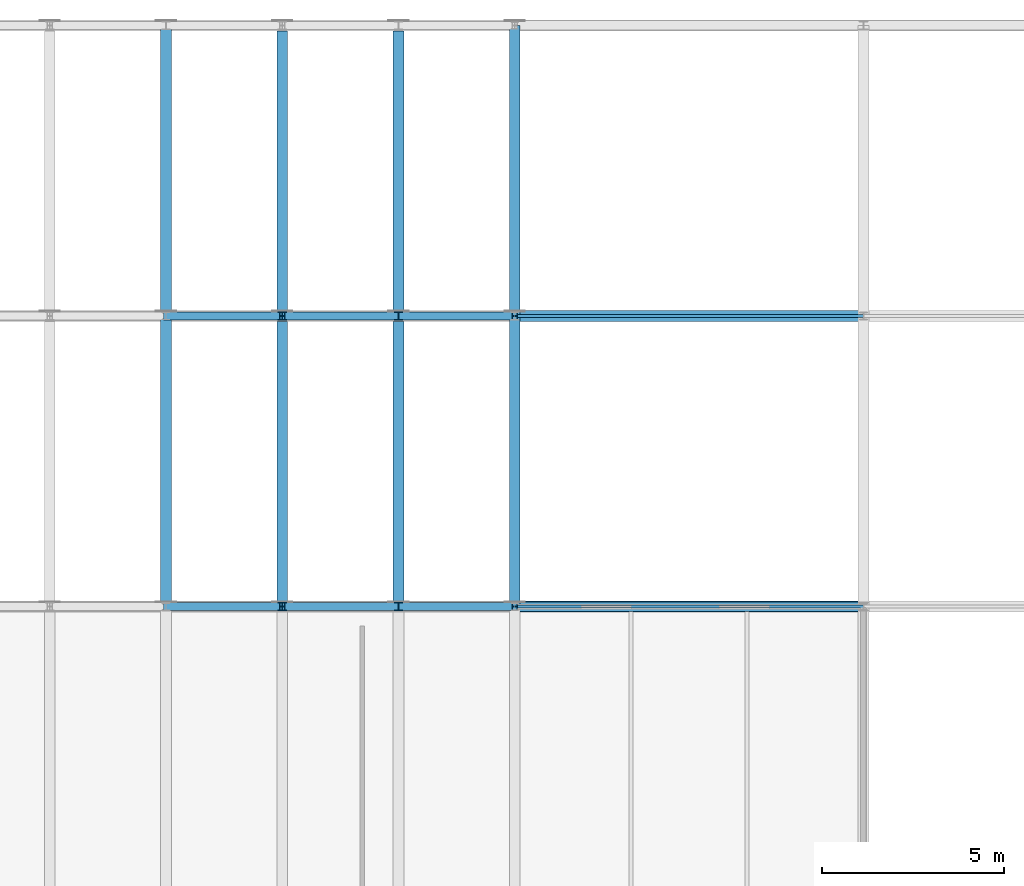
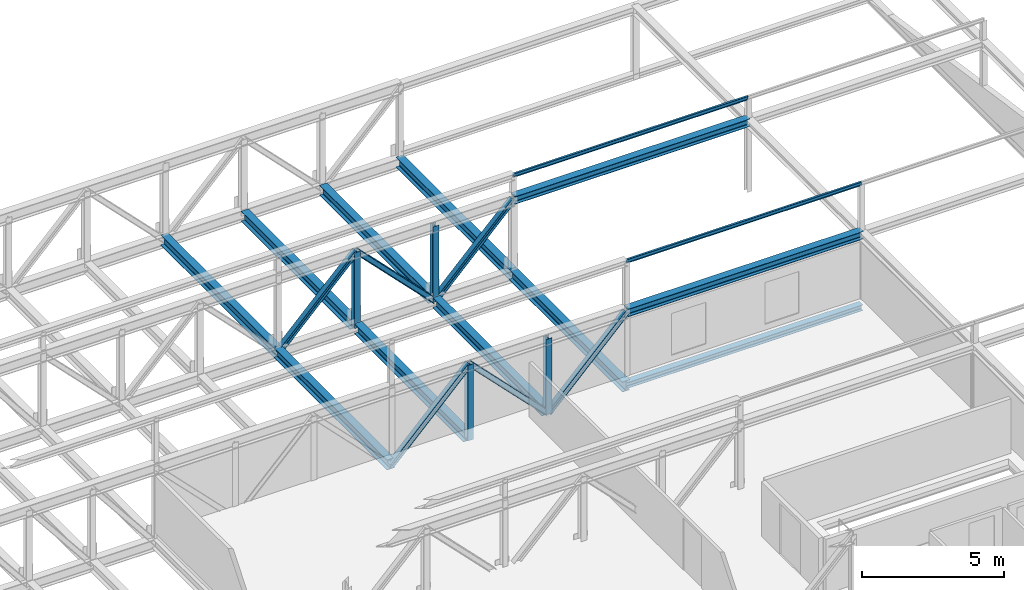
# One storey, part 20 of 34: 12 members, 11 beams.
"""IFC4 building model written with IfcOpenShell, lengths in metres."""

from ifc_helpers import new_model, si_unit, direction, frame, origin, origin_2d, place, context, subcontext, project, spatial, i_section, extrude, material, material_profile, profile_set, type_object, element, save


model = new_model("IFC4")

# Units and contexts
model_context = context("Model", 3, precision=1e-05, world=origin(), true_north=direction((0.0, 1.0)))
body_context = subcontext(model_context, "Body", "Model", "MODEL_VIEW")
ifc_project = project(units=[si_unit("LENGTHUNIT", "METRE"), si_unit("AREAUNIT", "SQUARE_METRE"), si_unit("VOLUMEUNIT", "CUBIC_METRE"), si_unit("PLANEANGLEUNIT", "RADIAN"), si_unit("MASSUNIT", "GRAM", prefix="KILO")], contexts=[model_context])

# Site, building, storey
site_placement = place(None, origin())
site = spatial("IfcSite", under=ifc_project, at=site_placement, CompositionType="ELEMENT")
building_placement = place(site_placement, origin())
building = spatial("IfcBuilding", under=site, at=building_placement, Name="Alderhovde Museum", CompositionType="ELEMENT")
storey_placement = place(building_placement, frame((0.0, 0.0, 25.800048828125)))
storey = spatial("IfcBuildingStorey", under=building, at=storey_placement, Name="L05", CompositionType="ELEMENT", Elevation=25.800048828125)

# Beams
ifc_material_1 = material(Name="Steel S355J2", Category="steel")
ifc_material_profile_1 = material_profile(ifc_material_1, i_section(OverallWidth=0.300048828125, OverallDepth=0.330078125, WebThickness=0.009521484375, FlangeThickness=0.0166015625, FilletRadius=0.027099609375, at=origin_2d()), Name="HEA 340")
ifc_profile_set_1 = profile_set([ifc_material_profile_1], Name="Steel S355J2")
beam_type_1 = type_object("IfcBeamType", Name="BM-HEA340", PredefinedType="BEAM", material=ifc_profile_set_1)
for number, where, z_axis, x_axis, name in (
    (1, (28.800048828125, 96.0, 2.75), (1.0, 0.0, 0.0), (0.0, 1.0, 0.0), "L05 Vol 4 Roof Beam Y=96"),
    (2, (28.800048828125, 104.0, 2.75), (1.0, 0.0, 0.0), (0.0, 1.0, 0.0), "L05 Vol 4 Roof Beam Y=104"),
):
    element("IfcBeam", number, at=place(storey_placement, frame(where, z_axis=z_axis, x_axis=x_axis)), inside=storey, type_object=beam_type_1, Name=name, PredefinedType="BEAM", context=body_context, shape_type="SweptSolid", body=[
        extrude(i_section(OverallWidth=0.300048828125, OverallDepth=0.330078125, WebThickness=0.009521484375, FlangeThickness=0.0166015625, FilletRadius=0.027099609375, at=origin_2d()), origin(), (0.0, 0.0, 1.0), 9.599853515625),
    ])
ifc_material_2 = material(Name="Steel S355J2", Category="steel")
ifc_material_profile_2 = material_profile(ifc_material_2, i_section(OverallWidth=0.300048828125, OverallDepth=0.43994140625, WebThickness=0.011474609375, FlangeThickness=0.02099609375, FilletRadius=0.027099609375, at=origin_2d()), Name="HEA 450")
ifc_profile_set_2 = profile_set([ifc_material_profile_2], Name="Steel S355J2")
beam_type_2 = type_object("IfcBeamType", Name="BM-HEA450", PredefinedType="BEAM", material=ifc_profile_set_2)
for number, where, z_axis, x_axis, name in (
    (3, (19.199951171875, 96.0, -0.47998046875), (0.0, 1.0, 0.0), (-1.0, 0.0, 0.0), "L05 Transfer Transverse Beam X=19.2"),
    (4, (19.199951171875, 104.0, -0.47998046875), (0.0, 1.0, 0.0), (-1.0, 0.0, 0.0), "L05 Transfer Transverse Beam X=19.2"),
):
    element("IfcBeam", number, at=place(storey_placement, frame(where, z_axis=z_axis, x_axis=x_axis)), inside=storey, type_object=beam_type_2, Name=name, PredefinedType="BEAM", context=body_context, shape_type="SweptSolid", body=[
        extrude(i_section(OverallWidth=0.300048828125, OverallDepth=0.43994140625, WebThickness=0.011474609375, FlangeThickness=0.02099609375, FilletRadius=0.027099609375, at=origin_2d()), origin(), (0.0, 0.0, 1.0), 8.0),
    ])
for number, where, z_axis, x_axis, name in (
    (5, (22.39990234375, 96.14990234375, -0.47998046875), (0.0, 1.0, 0.0), (-1.0, 0.0, 0.0), "L05 Transfer Transverse Beam X=22.4"),
    (6, (22.39990234375, 104.14990234375, -0.47998046875), (0.0, 1.0, 0.0), (-1.0, 0.0, 0.0), "L05 Transfer Transverse Beam X=22.4"),
    (7, (25.60009765625, 96.14990234375, -0.47998046875), (0.0, 1.0, 0.0), (-1.0, 0.0, 0.0), "L05 Transfer Transverse Beam X=25.6"),
    (8, (25.60009765625, 104.14990234375, -0.47998046875), (0.0, 1.0, 0.0), (-1.0, 0.0, 0.0), "L05 Transfer Transverse Beam X=25.6"),
):
    element("IfcBeam", number, at=place(storey_placement, frame(where, z_axis=z_axis, x_axis=x_axis)), inside=storey, type_object=beam_type_2, Name=name, PredefinedType="BEAM", context=body_context, shape_type="SweptSolid", body=[
        extrude(i_section(OverallWidth=0.300048828125, OverallDepth=0.43994140625, WebThickness=0.011474609375, FlangeThickness=0.02099609375, FilletRadius=0.027099609375, at=origin_2d()), origin(), (0.0, 0.0, 1.0), 7.7001953125),
    ])
for number, where, z_axis, x_axis, name in (
    (9, (28.800048828125, 96.0, -0.47998046875), (0.0, 1.0, 0.0), (-1.0, 0.0, 0.0), "L05 Transfer Transverse Beam X=28.8"),
    (10, (28.800048828125, 104.0, -0.47998046875), (0.0, 1.0, 0.0), (-1.0, 0.0, 0.0), "L05 Transfer Transverse Beam X=28.8"),
):
    element("IfcBeam", number, at=place(storey_placement, frame(where, z_axis=z_axis, x_axis=x_axis)), inside=storey, type_object=beam_type_2, Name=name, PredefinedType="BEAM", context=body_context, shape_type="SweptSolid", body=[
        extrude(i_section(OverallWidth=0.300048828125, OverallDepth=0.43994140625, WebThickness=0.011474609375, FlangeThickness=0.02099609375, FilletRadius=0.027099609375, at=origin_2d()), origin(), (0.0, 0.0, 1.0), 8.0),
    ])

# Members
ifc_material_3 = material(Name="Steel S355J2", Category="steel")
ifc_material_profile_3 = material_profile(ifc_material_3, i_section(OverallWidth=0.08203125, OverallDepth=0.159912109375, WebThickness=0.0048828125, FlangeThickness=0.00732421875, FilletRadius=0.009033203125, at=origin_2d()), Name="IPE 160")
ifc_profile_set_3 = profile_set([ifc_material_profile_3], Name="Steel S355J2")
member_type_1 = type_object("IfcMemberType", Name="PRL-IPE160", PredefinedType="PURLIN", material=ifc_profile_set_3)
for number, where, z_axis, x_axis, name in (
    (11, (28.800048828125, 96.0, 4.89990234375), (1.0, 0.0, 0.0), (0.0, 1.0, 0.0), "Cantilever Wing Roof Purlin Y=96"),
    (12, (28.800048828125, 104.0, 3.75), (1.0, 0.0, 0.0), (0.0, 1.0, 0.0), "Cantilever Wing Roof Purlin Y=104"),
):
    element("IfcMember", number, at=place(storey_placement, frame(where, z_axis=z_axis, x_axis=x_axis)), inside=storey, type_object=member_type_1, Name=name, PredefinedType="PURLIN", context=body_context, shape_type="SweptSolid", body=[
        extrude(i_section(OverallWidth=0.08203125, OverallDepth=0.159912109375, WebThickness=0.0048828125, FlangeThickness=0.00732421875, FilletRadius=0.009033203125, at=origin_2d()), origin(), (0.0, 0.0, 1.0), 9.599853515625),
    ])

# Beam
ifc_material_4 = material(Name="Steel S355J2", Category="steel")
ifc_material_profile_4 = material_profile(ifc_material_4, i_section(OverallWidth=0.260009765625, OverallDepth=0.25, WebThickness=0.007568359375, FlangeThickness=0.012451171875, FilletRadius=0.02392578125, at=origin_2d()), Name="HEA 260")
ifc_profile_set_4 = profile_set([ifc_material_profile_4], Name="Steel S355J2")
beam_type_3 = type_object("IfcBeamType", Name="SPD-HEA260", PredefinedType="SPANDREL", material=ifc_profile_set_4)
beam_placement = place(storey_placement, frame((28.800048828125, 96.0, -0.385009765625), z_axis=(1.0, 0.0, 0.0), x_axis=(0.0, 1.0, 0.0)))
element("IfcBeam", 13, at=beam_placement, inside=storey, type_object=beam_type_3, Name="L05 Grid Beam Y=96.0 (28.8 TO 38.4)", PredefinedType="SPANDREL", context=body_context, shape_type="SweptSolid", body=[
    extrude(i_section(OverallWidth=0.260009765625, OverallDepth=0.25, WebThickness=0.007568359375, FlangeThickness=0.012451171875, FilletRadius=0.02392578125, at=origin_2d()), origin(), (0.0, 0.0, 1.0), 9.599853515625),
])

# Members
ifc_material_5 = material(Name="Steel S355J2", Category="steel")
ifc_material_profile_5 = material_profile(ifc_material_5, i_section(OverallWidth=0.219970703125, OverallDepth=0.2099609375, WebThickness=0.007080078125, FlangeThickness=0.010986328125, FilletRadius=0.01806640625, at=origin_2d()), Name="HEA 220")
ifc_profile_set_5 = profile_set([ifc_material_profile_5], Name="Steel S355J2")
member_type_2 = type_object("IfcMemberType", Name="TR-DG-HEA220", PredefinedType="RAFTER", material=ifc_profile_set_5)
member_1_placement = place(storey_placement, frame((19.199951171875, 96.0, -0.510009765625), z_axis=(0.700502499188, 0.0, 0.713649948246), x_axis=(0.0, 1.0, 0.0)))
element("IfcMember", 14, at=member_1_placement, inside=storey, type_object=member_type_2, Name="Transfer Truss Y=96 T3 Diagonal 7", PredefinedType="RAFTER", context=body_context, shape_type="SweptSolid", body=[
    extrude(i_section(OverallWidth=0.219970703125, OverallDepth=0.2099609375, WebThickness=0.007080078125, FlangeThickness=0.010986328125, FilletRadius=0.01806640625, at=origin_2d()), origin(), (0.0, 0.0, 1.0), 4.568115234375),
])
member_2_placement = place(storey_placement, frame((22.39990234375, 96.0, 2.75), z_axis=(0.700529716954, 0.0, -0.713623230889), x_axis=(0.0, 1.0, 0.0)))
element("IfcMember", 15, at=member_2_placement, inside=storey, type_object=member_type_2, Name="Transfer Truss Y=96 T3 Diagonal 8", PredefinedType="RAFTER", context=body_context, shape_type="SweptSolid", body=[
    extrude(i_section(OverallWidth=0.219970703125, OverallDepth=0.2099609375, WebThickness=0.007080078125, FlangeThickness=0.010986328125, FilletRadius=0.01806640625, at=origin_2d()), origin(), (0.0, 0.0, 1.0), 4.568359375),
])
for number, where, z_axis, x_axis, name in (
    (16, (25.60009765625, 96.0, -0.510009765625), (0.700502499188, 0.0, 0.713649948246), (0.0, 1.0, 0.0), "Transfer Truss Y=96 T3 Diagonal 9"),
    (17, (19.199951171875, 104.0, -0.510009765625), (0.700502499188, 0.0, 0.713649948246), (0.0, 1.0, 0.0), "Transfer Truss Y=104 T3 Diagonal 7"),
):
    element("IfcMember", number, at=place(storey_placement, frame(where, z_axis=z_axis, x_axis=x_axis)), inside=storey, type_object=member_type_2, Name=name, PredefinedType="RAFTER", context=body_context, shape_type="SweptSolid", body=[
        extrude(i_section(OverallWidth=0.219970703125, OverallDepth=0.2099609375, WebThickness=0.007080078125, FlangeThickness=0.010986328125, FilletRadius=0.01806640625, at=origin_2d()), origin(), (0.0, 0.0, 1.0), 4.568115234375),
    ])
member_3_placement = place(storey_placement, frame((22.39990234375, 104.0, 2.75), z_axis=(0.700529716954, 0.0, -0.713623230889), x_axis=(0.0, 1.0, 0.0)))
element("IfcMember", 18, at=member_3_placement, inside=storey, type_object=member_type_2, Name="Transfer Truss Y=104 T3 Diagonal 8", PredefinedType="RAFTER", context=body_context, shape_type="SweptSolid", body=[
    extrude(i_section(OverallWidth=0.219970703125, OverallDepth=0.2099609375, WebThickness=0.007080078125, FlangeThickness=0.010986328125, FilletRadius=0.01806640625, at=origin_2d()), origin(), (0.0, 0.0, 1.0), 4.568359375),
])
member_4_placement = place(storey_placement, frame((25.60009765625, 104.0, -0.510009765625), z_axis=(0.700502499188, 0.0, 0.713649948246), x_axis=(0.0, 1.0, 0.0)))
element("IfcMember", 19, at=member_4_placement, inside=storey, type_object=member_type_2, Name="Transfer Truss Y=104 T3 Diagonal 9", PredefinedType="RAFTER", context=body_context, shape_type="SweptSolid", body=[
    extrude(i_section(OverallWidth=0.219970703125, OverallDepth=0.2099609375, WebThickness=0.007080078125, FlangeThickness=0.010986328125, FilletRadius=0.01806640625, at=origin_2d()), origin(), (0.0, 0.0, 1.0), 4.568115234375),
])
ifc_material_6 = material(Name="Steel S355J2", Category="steel")
ifc_material_profile_6 = material_profile(ifc_material_6, i_section(OverallWidth=0.239990234375, OverallDepth=0.22998046875, WebThickness=0.007568359375, FlangeThickness=0.011962890625, FilletRadius=0.02099609375, at=origin_2d()), Name="HEA 240")
ifc_profile_set_6 = profile_set([ifc_material_profile_6], Name="Steel S355J2")
member_type_3 = type_object("IfcMemberType", Name="TR-PS-HEA240", PredefinedType="POST", material=ifc_profile_set_6)
for number, where, z_axis, x_axis, name in (
    (20, (22.39990234375, 96.0, -0.510009765625), (0.0, 0.0, 1.0), (1.0, 0.0, 0.0), "Transfer Truss Y=96 T3 Post 8"),
    (21, (25.60009765625, 96.0, -0.510009765625), (0.0, 0.0, 1.0), (1.0, 0.0, 0.0), "Transfer Truss Y=96 T3 Post 9"),
    (22, (22.39990234375, 104.0, -0.510009765625), (0.0, 0.0, 1.0), (1.0, 0.0, 0.0), "Transfer Truss Y=104 T3 Post 8"),
    (23, (25.60009765625, 104.0, -0.510009765625), (0.0, 0.0, 1.0), (1.0, 0.0, 0.0), "Transfer Truss Y=104 T3 Post 9"),
):
    element("IfcMember", number, at=place(storey_placement, frame(where, z_axis=z_axis, x_axis=x_axis)), inside=storey, type_object=member_type_3, Name=name, PredefinedType="POST", context=body_context, shape_type="SweptSolid", body=[
        extrude(i_section(OverallWidth=0.239990234375, OverallDepth=0.22998046875, WebThickness=0.007568359375, FlangeThickness=0.011962890625, FilletRadius=0.02099609375, at=origin_2d()), origin(), (0.0, 0.0, 1.0), 3.260009765625),
    ])

save(model, "model.ifc")
